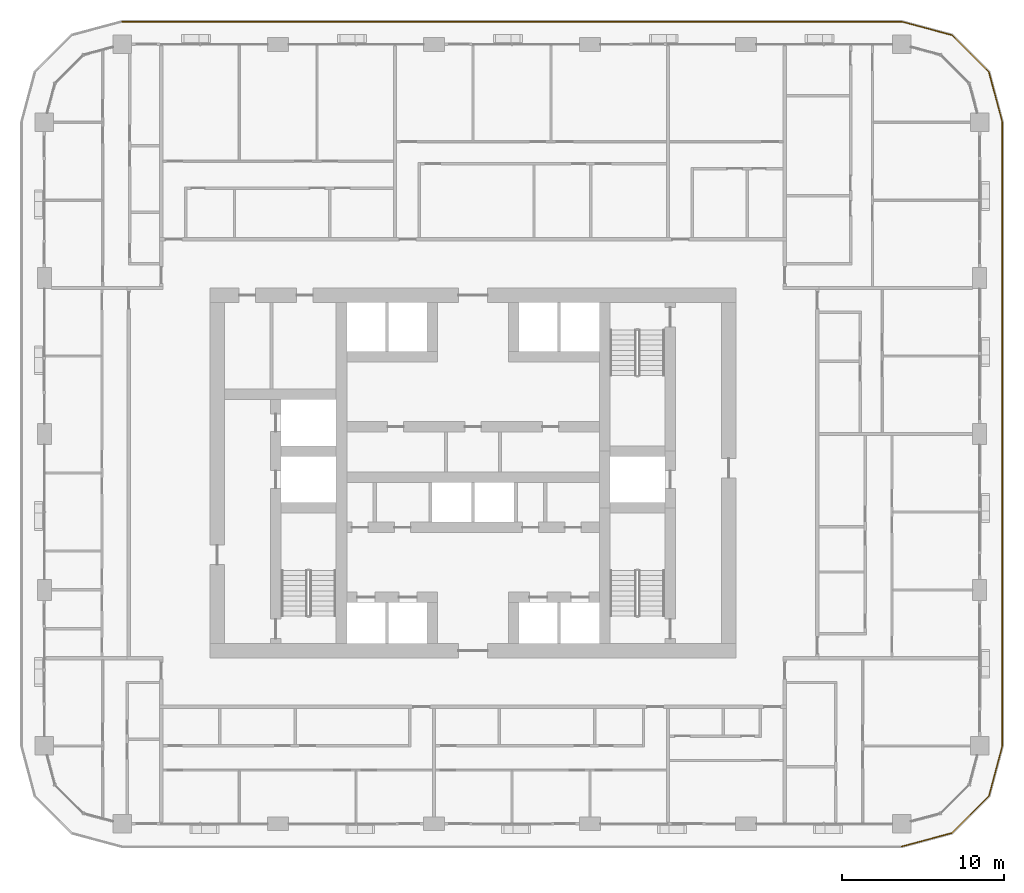
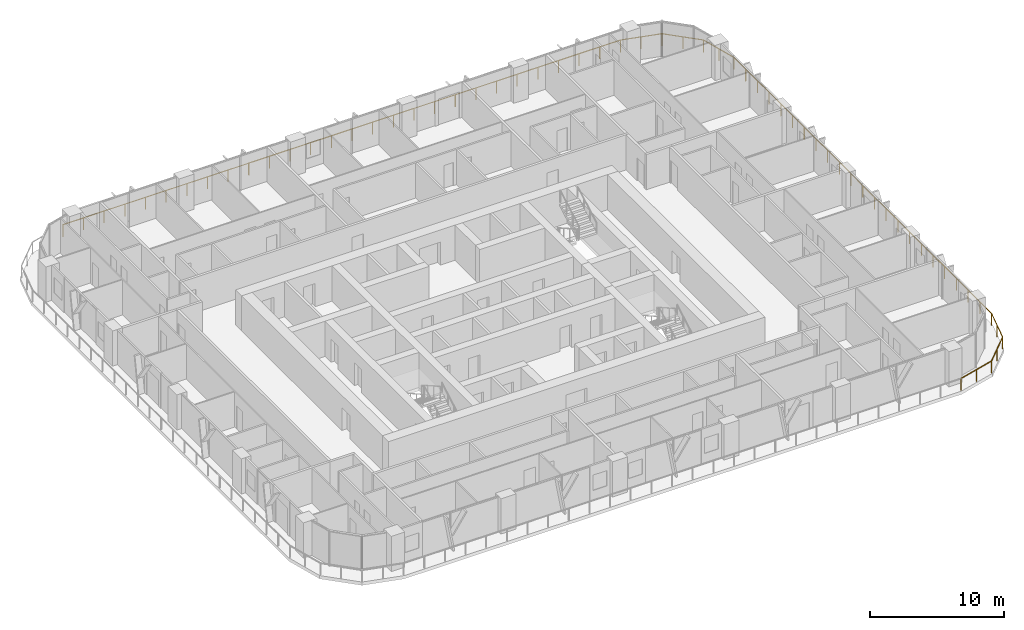
# One storey, part 19 of 21: 1 railing.
"""IFC4 building model written with IfcOpenShell, lengths in metres."""

from ifc_helpers import new_model, si_unit, direction, frame, origin, origin_2d, place, context, subcontext, project, spatial, circle, extrude, material, type_object, element, save


model = new_model("IFC4")

# Units and contexts
model_context = context("Model", 3, precision=1e-05, world=origin(), true_north=direction((0.0, 1.0)))
body_context = subcontext(model_context, "Body", "Model", "MODEL_VIEW")
ifc_project = project(units=[si_unit("LENGTHUNIT", "METRE"), si_unit("AREAUNIT", "SQUARE_METRE"), si_unit("VOLUMEUNIT", "CUBIC_METRE"), si_unit("PLANEANGLEUNIT", "RADIAN"), si_unit("MASSUNIT", "GRAM", prefix="KILO")], contexts=[model_context])

# Site, building, storey
site_placement = place(None, origin())
site = spatial("IfcSite", under=ifc_project, at=site_placement, CompositionType="ELEMENT")
building_placement = place(site_placement, origin())
building = spatial("IfcBuilding", under=site, at=building_placement, Name="Madar Terraces", CompositionType="ELEMENT")
storey_placement = place(building_placement, frame((0.0, 0.0, 89.199951171875)))
storey = spatial("IfcBuildingStorey", under=building, at=storey_placement, Name="L22", CompositionType="ELEMENT", Elevation=89.199951171875)

# Railing
ifc_material = material(Name="Glass, safety glazing, with stainless steel posts", Category="steel")
railing_type = type_object("IfcRailingType", Name="Balcony glass guard 1100", PredefinedType="GUARDRAIL", material=ifc_material)
railing_placement = place(storey_placement, frame((57.60009765625, 3.39990234375, 0.0)))
element("IfcRailing", 1, at=railing_placement, inside=storey, type_object=railing_type, Name="Balcony guard", PredefinedType="GUARDRAIL", context=body_context, shape_type="SweptSolid", body=[
    extrude(circle(Radius=0.02392578125, at=origin_2d()), frame((0.0, 0.0, 1.076171875), z_axis=(0.965909675762, 0.25887931217, 0.0), x_axis=(-0.25887931217, 0.965909675762, 0.0)), (0.0, 0.0, 1.0), 3.209228515625),
    extrude(circle(Radius=0.02392578125, at=origin_2d()), frame((3.099853515625, 0.830810546875, 1.076171875), z_axis=(0.707144815061, 0.707068745266, 0.0), x_axis=(-0.707068745266, 0.707144815061, 0.0)), (0.0, 0.0, 1.0), 3.20947265625),
    extrude(circle(Radius=0.02392578125, at=origin_2d()), frame((5.369384765625, 3.10009765625, 1.076171875), z_axis=(0.258789317819, 0.9659337912, 0.0), x_axis=(-0.9659337912, 0.258789317819, 0.0)), (0.0, 0.0, 1.0), 3.20947265625),
    extrude(circle(Radius=0.02392578125, at=origin_2d()), frame((6.199951171875, 6.2001953125, 1.076171875), z_axis=(0.0, 1.0, 0.0), x_axis=(-1.0, 0.0, 0.0)), (0.0, 0.0, 1.0), 38.39990234375),
    extrude(circle(Radius=0.02392578125, at=origin_2d()), frame((6.199951171875, 44.60009765625, 1.076171875), z_axis=(-0.258789317819, 0.9659337912, 0.0), x_axis=(-0.9659337912, -0.258789317819, 0.0)), (0.0, 0.0, 1.0), 3.20947265625),
    extrude(circle(Radius=0.02392578125, at=origin_2d()), frame((5.369384765625, 47.7001953125, 1.076171875), z_axis=(-0.707144815061, 0.707068745266, 0.0), x_axis=(-0.707068745266, -0.707144815061, 0.0)), (0.0, 0.0, 1.0), 3.20947265625),
    extrude(circle(Radius=0.02392578125, at=origin_2d()), frame((3.099853515625, 49.969482421875, 1.076171875), z_axis=(-0.965928696102, 0.258808334578, 0.0), x_axis=(-0.258808334578, -0.965928696102, 0.0)), (0.0, 0.0, 1.0), 3.209228515625),
    extrude(circle(Radius=0.02392578125, at=origin_2d()), frame((0.0, 50.800048828125, 1.076171875), z_axis=(-1.0, 0.0, 0.0), x_axis=(0.0, -1.0, 0.0)), (0.0, 0.0, 1.0), 48.0),
    extrude(circle(Radius=0.02099609375, at=origin_2d()), origin(), (0.0, 0.0, 1.0), 1.052001953125),
    extrude(circle(Radius=0.02099609375, at=origin_2d()), frame((1.5498046875, 0.41552734375, 0.0)), (0.0, 0.0, 1.0), 1.052001953125),
    extrude(circle(Radius=0.02099609375, at=origin_2d()), frame((3.099853515625, 0.830810546875, 0.0)), (0.0, 0.0, 1.0), 1.052001953125),
    extrude(circle(Radius=0.02099609375, at=origin_2d()), frame((4.234619140625, 1.96533203125, 0.0)), (0.0, 0.0, 1.0), 1.052001953125),
    extrude(circle(Radius=0.02099609375, at=origin_2d()), frame((5.369384765625, 3.10009765625, 0.0)), (0.0, 0.0, 1.0), 1.052001953125),
    extrude(circle(Radius=0.02099609375, at=origin_2d()), frame((5.78466796875, 4.650146484375, 0.0)), (0.0, 0.0, 1.0), 1.052001953125),
    extrude(circle(Radius=0.02099609375, at=origin_2d()), frame((6.199951171875, 6.2001953125, 0.0)), (0.0, 0.0, 1.0), 1.052001953125),
    extrude(circle(Radius=0.02099609375, at=origin_2d()), frame((6.199951171875, 7.945556640625, 0.0)), (0.0, 0.0, 1.0), 1.052001953125),
    extrude(circle(Radius=0.02099609375, at=origin_2d()), frame((6.199951171875, 9.691162109375, 0.0)), (0.0, 0.0, 1.0), 1.052001953125),
    extrude(circle(Radius=0.02099609375, at=origin_2d()), frame((6.199951171875, 11.4365234375, 0.0)), (0.0, 0.0, 1.0), 1.052001953125),
    extrude(circle(Radius=0.02099609375, at=origin_2d()), frame((6.199951171875, 13.181884765625, 0.0)), (0.0, 0.0, 1.0), 1.052001953125),
    extrude(circle(Radius=0.02099609375, at=origin_2d()), frame((6.199951171875, 14.927490234375, 0.0)), (0.0, 0.0, 1.0), 1.052001953125),
    extrude(circle(Radius=0.02099609375, at=origin_2d()), frame((6.199951171875, 16.6728515625, 0.0)), (0.0, 0.0, 1.0), 1.052001953125),
    extrude(circle(Radius=0.02099609375, at=origin_2d()), frame((6.199951171875, 18.41845703125, 0.0)), (0.0, 0.0, 1.0), 1.052001953125),
    extrude(circle(Radius=0.02099609375, at=origin_2d()), frame((6.199951171875, 20.163818359375, 0.0)), (0.0, 0.0, 1.0), 1.052001953125),
    extrude(circle(Radius=0.02099609375, at=origin_2d()), frame((6.199951171875, 21.9091796875, 0.0)), (0.0, 0.0, 1.0), 1.052001953125),
    extrude(circle(Radius=0.02099609375, at=origin_2d()), frame((6.199951171875, 23.65478515625, 0.0)), (0.0, 0.0, 1.0), 1.052001953125),
    extrude(circle(Radius=0.02099609375, at=origin_2d()), frame((6.199951171875, 25.400146484375, 0.0)), (0.0, 0.0, 1.0), 1.052001953125),
    extrude(circle(Radius=0.02099609375, at=origin_2d()), frame((6.199951171875, 27.1455078125, 0.0)), (0.0, 0.0, 1.0), 1.052001953125),
    extrude(circle(Radius=0.02099609375, at=origin_2d()), frame((6.199951171875, 28.89111328125, 0.0)), (0.0, 0.0, 1.0), 1.052001953125),
    extrude(circle(Radius=0.02099609375, at=origin_2d()), frame((6.199951171875, 30.636474609375, 0.0)), (0.0, 0.0, 1.0), 1.052001953125),
    extrude(circle(Radius=0.02099609375, at=origin_2d()), frame((6.199951171875, 32.3818359375, 0.0)), (0.0, 0.0, 1.0), 1.052001953125),
    extrude(circle(Radius=0.02099609375, at=origin_2d()), frame((6.199951171875, 34.12744140625, 0.0)), (0.0, 0.0, 1.0), 1.052001953125),
    extrude(circle(Radius=0.02099609375, at=origin_2d()), frame((6.199951171875, 35.872802734375, 0.0)), (0.0, 0.0, 1.0), 1.052001953125),
    extrude(circle(Radius=0.02099609375, at=origin_2d()), frame((6.199951171875, 37.618408203125, 0.0)), (0.0, 0.0, 1.0), 1.052001953125),
    extrude(circle(Radius=0.02099609375, at=origin_2d()), frame((6.199951171875, 39.36376953125, 0.0)), (0.0, 0.0, 1.0), 1.052001953125),
    extrude(circle(Radius=0.02099609375, at=origin_2d()), frame((6.199951171875, 41.109130859375, 0.0)), (0.0, 0.0, 1.0), 1.052001953125),
    extrude(circle(Radius=0.02099609375, at=origin_2d()), frame((6.199951171875, 42.854736328125, 0.0)), (0.0, 0.0, 1.0), 1.052001953125),
    extrude(circle(Radius=0.02099609375, at=origin_2d()), frame((6.199951171875, 44.60009765625, 0.0)), (0.0, 0.0, 1.0), 1.052001953125),
    extrude(circle(Radius=0.02099609375, at=origin_2d()), frame((5.78466796875, 46.150146484375, 0.0)), (0.0, 0.0, 1.0), 1.052001953125),
    extrude(circle(Radius=0.02099609375, at=origin_2d()), frame((5.369384765625, 47.7001953125, 0.0)), (0.0, 0.0, 1.0), 1.052001953125),
    extrude(circle(Radius=0.02099609375, at=origin_2d()), frame((4.234619140625, 48.8349609375, 0.0)), (0.0, 0.0, 1.0), 1.052001953125),
    extrude(circle(Radius=0.02099609375, at=origin_2d()), frame((3.099853515625, 49.969482421875, 0.0)), (0.0, 0.0, 1.0), 1.052001953125),
    extrude(circle(Radius=0.02099609375, at=origin_2d()), frame((1.5498046875, 50.384765625, 0.0)), (0.0, 0.0, 1.0), 1.052001953125),
    extrude(circle(Radius=0.02099609375, at=origin_2d()), frame((0.0, 50.800048828125, 0.0)), (0.0, 0.0, 1.0), 1.052001953125),
    extrude(circle(Radius=0.02099609375, at=origin_2d()), frame((-1.77783203125, 50.800048828125, 0.0)), (0.0, 0.0, 1.0), 1.052001953125),
    extrude(circle(Radius=0.02099609375, at=origin_2d()), frame((-3.5556640625, 50.800048828125, 0.0)), (0.0, 0.0, 1.0), 1.052001953125),
    extrude(circle(Radius=0.02099609375, at=origin_2d()), frame((-5.333251953125, 50.800048828125, 0.0)), (0.0, 0.0, 1.0), 1.052001953125),
    extrude(circle(Radius=0.02099609375, at=origin_2d()), frame((-7.111083984375, 50.800048828125, 0.0)), (0.0, 0.0, 1.0), 1.052001953125),
    extrude(circle(Radius=0.02099609375, at=origin_2d()), frame((-8.888916015625, 50.800048828125, 0.0)), (0.0, 0.0, 1.0), 1.052001953125),
    extrude(circle(Radius=0.02099609375, at=origin_2d()), frame((-10.666748046875, 50.800048828125, 0.0)), (0.0, 0.0, 1.0), 1.052001953125),
    extrude(circle(Radius=0.02099609375, at=origin_2d()), frame((-12.4443359375, 50.800048828125, 0.0)), (0.0, 0.0, 1.0), 1.052001953125),
    extrude(circle(Radius=0.02099609375, at=origin_2d()), frame((-14.22216796875, 50.800048828125, 0.0)), (0.0, 0.0, 1.0), 1.052001953125),
    extrude(circle(Radius=0.02099609375, at=origin_2d()), frame((-16.0, 50.800048828125, 0.0)), (0.0, 0.0, 1.0), 1.052001953125),
    extrude(circle(Radius=0.02099609375, at=origin_2d()), frame((-17.77783203125, 50.800048828125, 0.0)), (0.0, 0.0, 1.0), 1.052001953125),
    extrude(circle(Radius=0.02099609375, at=origin_2d()), frame((-19.5556640625, 50.800048828125, 0.0)), (0.0, 0.0, 1.0), 1.052001953125),
    extrude(circle(Radius=0.02099609375, at=origin_2d()), frame((-21.333251953125, 50.800048828125, 0.0)), (0.0, 0.0, 1.0), 1.052001953125),
    extrude(circle(Radius=0.02099609375, at=origin_2d()), frame((-23.111083984375, 50.800048828125, 0.0)), (0.0, 0.0, 1.0), 1.052001953125),
    extrude(circle(Radius=0.02099609375, at=origin_2d()), frame((-24.888916015625, 50.800048828125, 0.0)), (0.0, 0.0, 1.0), 1.052001953125),
    extrude(circle(Radius=0.02099609375, at=origin_2d()), frame((-26.666748046875, 50.800048828125, 0.0)), (0.0, 0.0, 1.0), 1.052001953125),
    extrude(circle(Radius=0.02099609375, at=origin_2d()), frame((-28.4443359375, 50.800048828125, 0.0)), (0.0, 0.0, 1.0), 1.052001953125),
    extrude(circle(Radius=0.02099609375, at=origin_2d()), frame((-30.22216796875, 50.800048828125, 0.0)), (0.0, 0.0, 1.0), 1.052001953125),
    extrude(circle(Radius=0.02099609375, at=origin_2d()), frame((-32.0, 50.800048828125, 0.0)), (0.0, 0.0, 1.0), 1.052001953125),
    extrude(circle(Radius=0.02099609375, at=origin_2d()), frame((-33.77783203125, 50.800048828125, 0.0)), (0.0, 0.0, 1.0), 1.052001953125),
    extrude(circle(Radius=0.02099609375, at=origin_2d()), frame((-35.5556640625, 50.800048828125, 0.0)), (0.0, 0.0, 1.0), 1.052001953125),
    extrude(circle(Radius=0.02099609375, at=origin_2d()), frame((-37.333251953125, 50.800048828125, 0.0)), (0.0, 0.0, 1.0), 1.052001953125),
    extrude(circle(Radius=0.02099609375, at=origin_2d()), frame((-39.111083984375, 50.800048828125, 0.0)), (0.0, 0.0, 1.0), 1.052001953125),
    extrude(circle(Radius=0.02099609375, at=origin_2d()), frame((-40.888916015625, 50.800048828125, 0.0)), (0.0, 0.0, 1.0), 1.052001953125),
    extrude(circle(Radius=0.02099609375, at=origin_2d()), frame((-42.666748046875, 50.800048828125, 0.0)), (0.0, 0.0, 1.0), 1.052001953125),
    extrude(circle(Radius=0.02099609375, at=origin_2d()), frame((-44.4443359375, 50.800048828125, 0.0)), (0.0, 0.0, 1.0), 1.052001953125),
    extrude(circle(Radius=0.02099609375, at=origin_2d()), frame((-46.22216796875, 50.800048828125, 0.0)), (0.0, 0.0, 1.0), 1.052001953125),
    extrude(circle(Radius=0.02099609375, at=origin_2d()), frame((-48.0, 50.800048828125, 0.0)), (0.0, 0.0, 1.0), 1.052001953125),
])

save(model, "model.ifc")
